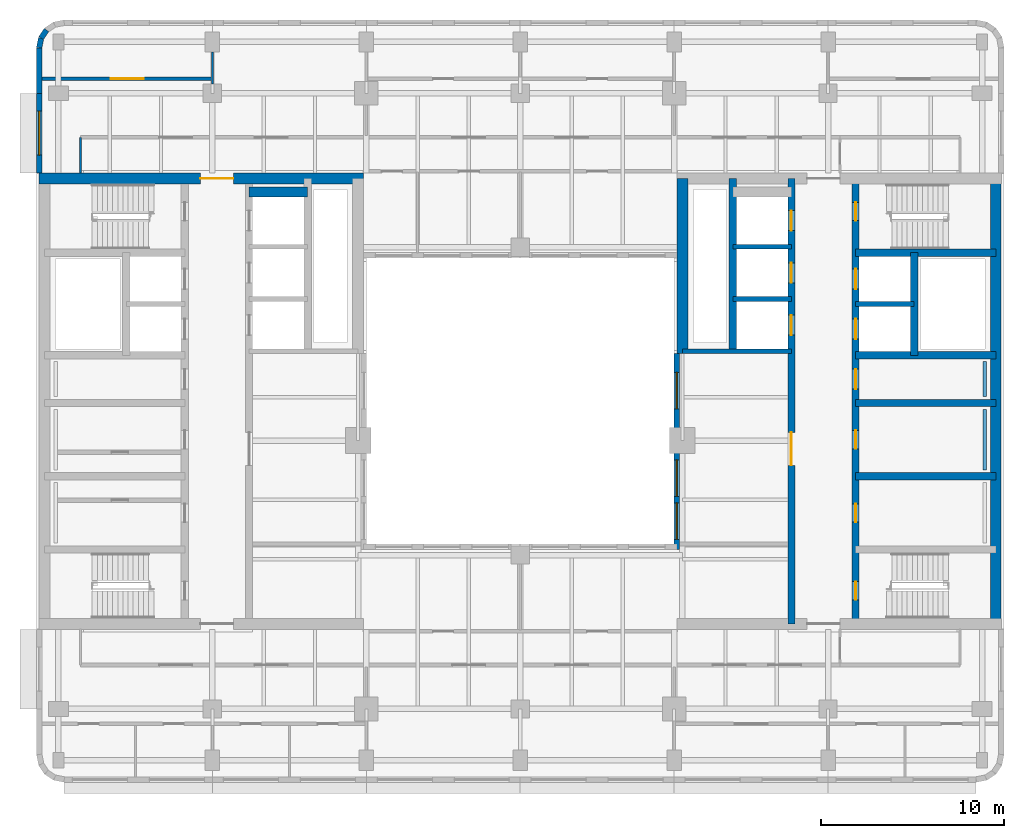
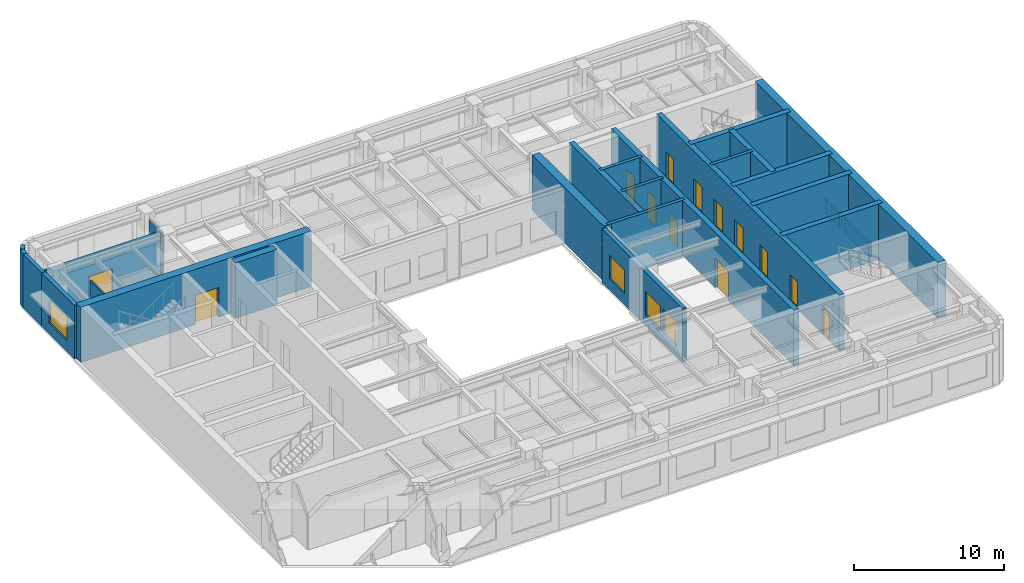
# One storey, part 6 of 11: 26 walls, 13 doors, 4 windows, 17 openings.
"""IFC4 building model written with IfcOpenShell, lengths in metres."""

from ifc_helpers import new_model, si_unit, direction, frame, frame_2d, origin, place, context, subcontext, project, spatial, rectangle, extrude, material, layer, layer_set, type_object, element, fill, save


model = new_model("IFC4")

# Units and contexts
model_context = context("Model", 3, precision=1e-05, world=origin(), true_north=direction((0.0, 1.0)))
body_context = subcontext(model_context, "Body", "Model", "MODEL_VIEW")
ifc_project = project(units=[si_unit("LENGTHUNIT", "METRE"), si_unit("AREAUNIT", "SQUARE_METRE"), si_unit("VOLUMEUNIT", "CUBIC_METRE"), si_unit("PLANEANGLEUNIT", "RADIAN"), si_unit("MASSUNIT", "GRAM", prefix="KILO")], contexts=[model_context])

# Site, building, storey
site_placement = place(None, origin())
site = spatial("IfcSite", under=ifc_project, at=site_placement, CompositionType="ELEMENT")
building_placement = place(site_placement, origin())
building = spatial("IfcBuilding", under=site, at=building_placement, Name="Claustro Exchange Tower", CompositionType="ELEMENT")
storey_placement = place(building_placement, frame((0.0, 0.0, 259.199951171875)))
storey = spatial("IfcBuildingStorey", under=building, at=storey_placement, Name="L59", CompositionType="ELEMENT", Elevation=259.199951171875)

# Walls
ifc_material_1 = material(Name="Laminated glass in aluminium frame", Category="aluminium")
ifc_layer_1 = layer(ifc_material_1, 0.1201171875)
ifc_layer_set_1 = layer_set([ifc_layer_1], Name="Laminated glass in aluminium frame")
wall_type_1 = type_object("IfcWallType", Name="P2 120 glazed partition", PredefinedType="PARTITIONING", material=ifc_layer_set_1)
wall_1_placement = place(storey_placement, frame((8.39990234375, 42.498046875, 0.0), z_axis=(0.0, 0.0, 1.0), x_axis=(0.0, 1.0, 0.0)))
element("IfcWall", 1, at=wall_1_placement, inside=storey, type_object=wall_type_1, Name="Partition P2 L59", PredefinedType="PARTITIONING", context=body_context, shape_type="SweptSolid", body=[
    extrude(rectangle(XDim=1.7529296875, YDim=0.1201171875, at=frame_2d((0.87646484375, 0.0))), origin(), (0.0, 0.0, 1.0), 3.989990234375),
])
wall_2_placement = place(storey_placement, frame((1.199951171875, 37.64794921875, 0.0), z_axis=(0.0, 0.0, 1.0), x_axis=(0.0, 1.0, 0.0)))
element("IfcWall", 2, at=wall_2_placement, inside=storey, type_object=wall_type_1, Name="Partition P2 L59", PredefinedType="PARTITIONING", context=body_context, shape_type="SweptSolid", body=[
    extrude(rectangle(XDim=1.9521484375, YDim=0.1201171875, at=frame_2d((0.97607421875, 0.0))), origin(), (0.0, 0.0, 1.0), 4.35009765625),
])

# Wall, opening, door
ifc_material_2 = material(Name="Twin-skin gypsum board on steel studs, mineral wool", Category="steel")
ifc_layer_2 = layer(ifc_material_2, 0.199951171875)
ifc_layer_set_2 = layer_set([ifc_layer_2], Name="Twin-skin gypsum board on steel studs, mineral wool")
wall_type_2 = type_object("IfcWallType", Name="P3 200 acoustic partition", PredefinedType="PARTITIONING", material=ifc_layer_set_2)
wall_3_placement = place(storey_placement, frame((-0.902099609375, 42.800048828125, 0.0), z_axis=(0.0, 0.0, 1.0), x_axis=(1.0, 0.0, 0.0)))
wall_3 = element("IfcWall", 3, at=wall_3_placement, inside=storey, type_object=wall_type_2, Name="Partition P3 L59", PredefinedType="PARTITIONING", context=body_context, shape_type="SweptSolid", body=[
    extrude(rectangle(XDim=9.302001953125, YDim=0.199951171875, at=frame_2d((4.65087890625, 0.0))), origin(), (0.0, 0.0, 1.0), 3.860107421875),
])
opening_1_placement = place(wall_3_placement, frame((3.751953125, 0.0, 0.0)))
opening_1 = element("IfcOpeningElement", 4, at=opening_1_placement, cuts=wall_3, Name="Opening D2", PredefinedType="OPENING", context=body_context, shape_type="SweptSolid", body=[
    extrude(rectangle(XDim=1.800048828125, YDim=2.199951171875, at=frame_2d((0.89990234375, 1.10009765625))), frame((0.0, 0.10986328125, 0.0), z_axis=(0.0, -1.0, 0.0), x_axis=(1.0, 0.0, 0.0)), (0.0, 0.0, 1.0), 0.219970703125),
])
ifc_material_3 = material(Name="Timber door, oak veneer", Category="wood")
door_type_1 = type_object("IfcDoorType", Name="D2 1800 x 2200 double door", OperationType="DOUBLE_DOOR_SINGLE_SWING", PredefinedType="DOOR", material=ifc_material_3)
door_1_placement = place(opening_1_placement, origin())
door_1 = element("IfcDoor", 5, at=door_1_placement, inside=storey, type_object=door_type_1, Name="Double door D2 L59", OperationType="DOUBLE_DOOR_SINGLE_SWING", OverallHeight=2.199951171875, OverallWidth=1.800048828125, PredefinedType="DOOR", context=body_context, shape_type="SweptSolid", body=[
    extrude(rectangle(XDim=1.800048828125, YDim=2.199951171875, at=frame_2d((0.89990234375, 1.10009765625))), frame((0.0, 0.02490234375, 0.0), z_axis=(0.0, -1.0, 0.0), x_axis=(1.0, 0.0, 0.0)), (0.0, 0.0, 1.0), 0.050048828125),
])
fill(opening_1, door_1)

# Wall, opening, window
ifc_material_4 = material(Name="Concrete HA-40 (C40/50), precast, white cement, acid-etched", Category="concrete")
ifc_layer_3 = layer(ifc_material_4, 0.300048828125)
ifc_layer_set_3 = layer_set([ifc_layer_3], Name="Concrete HA-40 (C40/50), precast, white cement, acid-etched")
wall_type_3 = type_object("IfcWallType", Name="PC1 300 precast concrete pier panel", PredefinedType="SOLIDWALL", material=ifc_layer_set_3)
wall_4_placement = place(storey_placement, frame((-1.050048828125, 37.64990234375, 0.0), z_axis=(0.0, 0.0, 1.0), x_axis=(0.0, 1.0, 0.0)))
wall_4 = element("IfcWall", 6, at=wall_4_placement, inside=storey, type_object=wall_type_3, Name="Precast pier panel PC1 L59", PredefinedType="SOLIDWALL", context=body_context, shape_type="SweptSolid", body=[
    extrude(rectangle(XDim=4.35009765625, YDim=0.300048828125, at=frame_2d((2.175048828125, 0.0))), origin(), (0.0, 0.0, 1.0), 4.35009765625),
])
opening_2_placement = place(wall_4_placement, frame((0.97509765625, 0.0, 0.89990234375)))
opening_2 = element("IfcOpeningElement", 7, at=opening_2_placement, cuts=wall_4, Name="Opening W2", PredefinedType="OPENING", context=body_context, shape_type="SweptSolid", body=[
    extrude(rectangle(XDim=2.39990234375, YDim=1.89990234375, at=frame_2d((1.199951171875, 0.949951171875))), frame((0.0, 0.159912109375, 0.0), z_axis=(0.0, -1.0, 0.0), x_axis=(1.0, 0.0, 0.0)), (0.0, 0.0, 1.0), 0.320068359375),
])
ifc_material_5 = material(Name="Aluminium frame, clear double glazing", Category="aluminium")
window_type_1 = type_object("IfcWindowType", Name="W2 2400 x 1900 window", PartitioningType="SINGLE_PANEL", PredefinedType="WINDOW", material=ifc_material_5)
window_1_placement = place(opening_2_placement, origin())
window_1 = element("IfcWindow", 8, at=window_1_placement, inside=storey, type_object=window_type_1, Name="Window W2 L59", OverallHeight=1.89990234375, OverallWidth=2.39990234375, PartitioningType="SINGLE_PANEL", PredefinedType="WINDOW", context=body_context, shape_type="SweptSolid", body=[
    extrude(rectangle(XDim=2.39990234375, YDim=1.89990234375, at=frame_2d((1.199951171875, 0.949951171875))), frame((0.0, 0.030029296875, 0.0), z_axis=(0.0, -1.0, 0.0), x_axis=(1.0, 0.0, 0.0)), (0.0, 0.0, 1.0), 0.06005859375),
])
fill(opening_2, window_1)

# Walls
wall_5_placement = place(storey_placement, frame((-1.050048828125, 42.0, 0.0), z_axis=(0.0, 0.0, 1.0), x_axis=(0.0, 1.0, 0.0)))
element("IfcWall", 9, at=wall_5_placement, inside=storey, type_object=wall_type_3, Name="Precast pier panel PC1 L59", PredefinedType="SOLIDWALL", context=body_context, shape_type="SweptSolid", body=[
    extrude(rectangle(XDim=2.485107421875, YDim=0.300048828125, at=frame_2d((1.24267578125, 0.0))), origin(), (0.0, 0.0, 1.0), 4.35009765625),
])
wall_6_placement = place(storey_placement, frame((-1.050048828125, 44.485107421875, 0.0), z_axis=(0.0, 0.0, 1.0), x_axis=(0.195073962632, 0.980788534345, 0.0)))
element("IfcWall", 10, at=wall_6_placement, inside=storey, type_object=wall_type_3, Name="Precast pier panel PC1 L59", PredefinedType="SOLIDWALL", context=body_context, shape_type="SweptSolid", body=[
    extrude(rectangle(XDim=0.540771484375, YDim=0.300048828125, at=frame_2d((0.2705078125, 0.0))), origin(), (0.0, 0.0, 1.0), 4.35009765625),
])
wall_7_placement = place(storey_placement, frame((-0.944580078125, 45.015380859375, 0.0), z_axis=(0.0, 0.0, 1.0), x_axis=(0.55534295404, 0.831621430339, 0.0)))
element("IfcWall", 11, at=wall_7_placement, inside=storey, type_object=wall_type_3, Name="Precast pier panel PC1 L59", PredefinedType="SOLIDWALL", context=body_context, shape_type="SweptSolid", body=[
    extrude(rectangle(XDim=0.52587890625, YDim=0.300048828125, at=frame_2d((0.262939453125, 0.0))), origin(), (0.0, 0.0, 1.0), 4.35009765625),
])

# Wall, openings, windows
wall_8_placement = place(storey_placement, frame((33.75, 17.10009765625, 0.0), z_axis=(0.0, 0.0, 1.0), x_axis=(0.0, 1.0, 0.0)))
wall_8 = element("IfcWall", 12, at=wall_8_placement, inside=storey, type_object=wall_type_3, Name="Precast pier panel PC1 L59", PredefinedType="SOLIDWALL", context=body_context, shape_type="SweptSolid", body=[
    extrude(rectangle(XDim=10.699951171875, YDim=0.300048828125, at=frame_2d((5.35009765625, 0.0))), origin(), (0.0, 0.0, 1.0), 4.35009765625),
])
opening_3_placement = place(wall_8_placement, frame((0.550048828125, 0.0, 0.89990234375)))
opening_3 = element("IfcOpeningElement", 13, at=opening_3_placement, cuts=wall_8, Name="Opening W4", PredefinedType="OPENING", context=body_context, shape_type="SweptSolid", body=[
    extrude(rectangle(XDim=2.0, YDim=1.89990234375, at=frame_2d((1.0, 0.949951171875))), frame((0.0, 0.159912109375, 0.0), z_axis=(0.0, -1.0, 0.0), x_axis=(1.0, 0.0, 0.0)), (0.0, 0.0, 1.0), 0.320068359375),
])
opening_4_placement = place(wall_8_placement, frame((2.89990234375, 0.0, 0.89990234375)))
opening_4 = element("IfcOpeningElement", 14, at=opening_4_placement, cuts=wall_8, Name="Opening W4", PredefinedType="OPENING", context=body_context, shape_type="SweptSolid", body=[
    extrude(rectangle(XDim=2.0, YDim=1.89990234375, at=frame_2d((1.0, 0.949951171875))), frame((0.0, 0.159912109375, 0.0), z_axis=(0.0, -1.0, 0.0), x_axis=(1.0, 0.0, 0.0)), (0.0, 0.0, 1.0), 0.320068359375),
])
opening_5_placement = place(wall_8_placement, frame((7.675048828125, 0.0, 0.89990234375)))
opening_5 = element("IfcOpeningElement", 15, at=opening_5_placement, cuts=wall_8, Name="Opening W4", PredefinedType="OPENING", context=body_context, shape_type="SweptSolid", body=[
    extrude(rectangle(XDim=2.0, YDim=1.89990234375, at=frame_2d((1.0, 0.949951171875))), frame((0.0, 0.159912109375, 0.0), z_axis=(0.0, -1.0, 0.0), x_axis=(1.0, 0.0, 0.0)), (0.0, 0.0, 1.0), 0.320068359375),
])
ifc_material_6 = material(Name="Aluminium frame, clear double glazing", Category="aluminium")
window_type_2 = type_object("IfcWindowType", Name="W4 2000 x 1900 light well window", PartitioningType="SINGLE_PANEL", PredefinedType="WINDOW", material=ifc_material_6)
window_2_placement = place(opening_3_placement, origin())
window_2 = element("IfcWindow", 16, at=window_2_placement, inside=storey, type_object=window_type_2, Name="Window W4 L59", OverallHeight=1.89990234375, OverallWidth=2.0, PartitioningType="SINGLE_PANEL", PredefinedType="WINDOW", context=body_context, shape_type="SweptSolid", body=[
    extrude(rectangle(XDim=2.0, YDim=1.89990234375, at=frame_2d((1.0, 0.949951171875))), frame((0.0, 0.030029296875, 0.0), z_axis=(0.0, -1.0, 0.0), x_axis=(1.0, 0.0, 0.0)), (0.0, 0.0, 1.0), 0.06005859375),
])
fill(opening_3, window_2)
window_3_placement = place(opening_4_placement, origin())
window_3 = element("IfcWindow", 17, at=window_3_placement, inside=storey, type_object=window_type_2, Name="Window W4 L59", OverallHeight=1.89990234375, OverallWidth=2.0, PartitioningType="SINGLE_PANEL", PredefinedType="WINDOW", context=body_context, shape_type="SweptSolid", body=[
    extrude(rectangle(XDim=2.0, YDim=1.89990234375, at=frame_2d((1.0, 0.949951171875))), frame((0.0, 0.030029296875, 0.0), z_axis=(0.0, -1.0, 0.0), x_axis=(1.0, 0.0, 0.0)), (0.0, 0.0, 1.0), 0.06005859375),
])
fill(opening_4, window_3)
window_4_placement = place(opening_5_placement, origin())
window_4 = element("IfcWindow", 18, at=window_4_placement, inside=storey, type_object=window_type_2, Name="Window W4 L59", OverallHeight=1.89990234375, OverallWidth=2.0, PartitioningType="SINGLE_PANEL", PredefinedType="WINDOW", context=body_context, shape_type="SweptSolid", body=[
    extrude(rectangle(XDim=2.0, YDim=1.89990234375, at=frame_2d((1.0, 0.949951171875))), frame((0.0, 0.030029296875, 0.0), z_axis=(0.0, -1.0, 0.0), x_axis=(1.0, 0.0, 0.0)), (0.0, 0.0, 1.0), 0.06005859375),
])
fill(opening_5, window_4)

# Walls
ifc_material_7 = material(Name="Gypsum board on steel studs, tiled", Category="steel")
ifc_layer_4 = layer(ifc_material_7, 0.199951171875)
ifc_layer_set_4 = layer_set([ifc_layer_4], Name="Gypsum board on steel studs, tiled")
wall_type_4 = type_object("IfcWallType", Name="PW1 200 WC duct wall", PredefinedType="PLUMBINGWALL", material=ifc_layer_set_4)
wall_9_placement = place(storey_placement, frame((50.550048828125, 21.449951171875, 0.0), z_axis=(0.0, 0.0, 1.0), x_axis=(0.0, 1.0, 0.0)))
element("IfcWall", 19, at=wall_9_placement, inside=storey, type_object=wall_type_4, Name="WC duct wall PW1 L59", PredefinedType="PLUMBINGWALL", context=body_context, shape_type="SweptSolid", body=[
    extrude(rectangle(XDim=3.300048828125, YDim=0.199951171875, at=frame_2d((1.64990234375, 0.0))), origin(), (0.0, 0.0, 1.0), 1.199951171875),
])
wall_10_placement = place(storey_placement, frame((50.550048828125, 25.449951171875, 0.0), z_axis=(0.0, 0.0, 1.0), x_axis=(0.0, 1.0, 0.0)))
element("IfcWall", 20, at=wall_10_placement, inside=storey, type_object=wall_type_4, Name="WC duct wall PW1 L59", PredefinedType="PLUMBINGWALL", context=body_context, shape_type="SweptSolid", body=[
    extrude(rectangle(XDim=1.900146484375, YDim=0.199951171875, at=frame_2d((0.9501953125, 0.0))), origin(), (0.0, 0.0, 1.0), 1.199951171875),
])

# Wall, opening, door
ifc_material_8 = material(Name="Concrete HA-50 (C50/60)", Category="concrete")
ifc_layer_5 = layer(ifc_material_8, 0.60009765625)
ifc_layer_set_5 = layer_set([ifc_layer_5], Name="Concrete HA-50 (C50/60)")
wall_type_5 = type_object("IfcWallType", Name="SW3 600 core shear wall", PredefinedType="SHEAR", material=ifc_layer_set_5)
wall_11_placement = place(storey_placement, frame((-1.050048828125, 37.35009765625, 0.0), z_axis=(0.0, 0.0, 1.0), x_axis=(1.0, 0.0, 0.0)))
wall_11 = element("IfcWall", 21, at=wall_11_placement, inside=storey, type_object=wall_type_5, Name="Core wall SW3 W core N face L59", PredefinedType="SHEAR", context=body_context, shape_type="SweptSolid", body=[
    extrude(rectangle(XDim=17.699951171875, YDim=0.60009765625, at=frame_2d((8.85009765625, 0.0))), origin(), (0.0, 0.0, 1.0), 4.5),
])
opening_6_placement = place(wall_11_placement, frame((8.800048828125, 0.0, 0.0)))
opening_6 = element("IfcOpeningElement", 22, at=opening_6_placement, cuts=wall_11, Name="Opening D3", PredefinedType="OPENING", context=body_context, shape_type="SweptSolid", body=[
    extrude(rectangle(XDim=1.800048828125, YDim=2.39990234375, at=frame_2d((0.89990234375, 1.199951171875))), frame((0.0, 0.31005859375, 0.0), z_axis=(0.0, -1.0, 0.0), x_axis=(1.0, 0.0, 0.0)), (0.0, 0.0, 1.0), 0.6201171875),
])
ifc_material_9 = material(Name="Steel fire door, painted", Category="steel")
door_type_2 = type_object("IfcDoorType", Name="D3 1800 x 2400 fire-rated lobby double door", OperationType="DOUBLE_DOOR_SINGLE_SWING", PredefinedType="DOOR", material=ifc_material_9)
door_2_placement = place(opening_6_placement, origin())
door_2 = element("IfcDoor", 23, at=door_2_placement, inside=storey, type_object=door_type_2, Name="Lift lobby door D3 L59", OperationType="DOUBLE_DOOR_SINGLE_SWING", OverallHeight=2.39990234375, OverallWidth=1.800048828125, PredefinedType="DOOR", context=body_context, shape_type="SweptSolid", body=[
    extrude(rectangle(XDim=1.800048828125, YDim=2.39990234375, at=frame_2d((0.89990234375, 1.199951171875))), frame((0.0, 0.02490234375, 0.0), z_axis=(0.0, -1.0, 0.0), x_axis=(1.0, 0.0, 0.0)), (0.0, 0.0, 1.0), 0.050048828125),
])
fill(opening_6, door_2)

# Walls
ifc_material_10 = material(Name="Concrete HA-50 (C50/60)", Category="concrete")
ifc_layer_6 = layer(ifc_material_10, 0.60009765625)
ifc_layer_set_6 = layer_set([ifc_layer_6], Name="Concrete HA-50 (C50/60)")
wall_type_6 = type_object("IfcWallType", Name="SW3X 600 exposed core shear wall, board-marked face", PredefinedType="SHEAR", material=ifc_layer_set_6)
wall_12_placement = place(storey_placement, frame((34.050048828125, 27.800048828125, 0.0), z_axis=(0.0, 0.0, 1.0), x_axis=(0.0, 1.0, 0.0)))
element("IfcWall", 24, at=wall_12_placement, inside=storey, type_object=wall_type_6, Name="Core wall SW3X E core W face L59", PredefinedType="SHEAR", context=body_context, shape_type="SweptSolid", body=[
    extrude(rectangle(XDim=9.550048828125, YDim=0.60009765625, at=frame_2d((4.77490234375, 0.0))), origin(), (0.0, 0.0, 1.0), 4.5),
])
wall_13_placement = place(storey_placement, frame((51.14990234375, 13.050048828125, 0.0), z_axis=(0.0, 0.0, 1.0), x_axis=(0.0, 1.0, 0.0)))
element("IfcWall", 25, at=wall_13_placement, inside=storey, type_object=wall_type_6, Name="Core wall SW3X E core E face L59", PredefinedType="SHEAR", context=body_context, shape_type="SweptSolid", body=[
    extrude(rectangle(XDim=24.300048828125, YDim=0.60009765625, at=frame_2d((12.14990234375, 0.0))), origin(), (0.0, 0.0, 1.0), 4.5),
])

# Wall, openings, doors
ifc_material_11 = material(Name="Concrete HA-50 (C50/60)", Category="concrete")
ifc_layer_7 = layer(ifc_material_11, 0.39990234375)
ifc_layer_set_7 = layer_set([ifc_layer_7], Name="Concrete HA-50 (C50/60)")
wall_type_7 = type_object("IfcWallType", Name="SW4 400 internal core wall", PredefinedType="SHEAR", material=ifc_layer_set_7)
wall_14_placement = place(storey_placement, frame((43.5, 13.050048828125, 0.0), z_axis=(0.0, 0.0, 1.0), x_axis=(0.0, 1.0, 0.0)))
wall_14 = element("IfcWall", 26, at=wall_14_placement, inside=storey, type_object=wall_type_7, Name="Internal core wall SW4 E core L59", PredefinedType="SHEAR", context=body_context, shape_type="SweptSolid", body=[
    extrude(rectangle(XDim=24.300048828125, YDim=0.39990234375, at=frame_2d((12.14990234375, 0.0))), origin(), (0.0, 0.0, 1.0), 4.5),
])
opening_7_placement = place(wall_14_placement, frame((1.300048828125, 0.0, 0.0)))
opening_7 = element("IfcOpeningElement", 27, at=opening_7_placement, cuts=wall_14, Name="Opening D4", PredefinedType="OPENING", context=body_context, shape_type="SweptSolid", body=[
    extrude(rectangle(XDim=1.0, YDim=2.199951171875, at=frame_2d((0.5, 1.10009765625))), frame((0.0, 0.2099609375, 0.0), z_axis=(0.0, -1.0, 0.0), x_axis=(1.0, 0.0, 0.0)), (0.0, 0.0, 1.0), 0.419921875),
])
opening_8_placement = place(wall_14_placement, frame((22.0, 0.0, 0.0)))
opening_8 = element("IfcOpeningElement", 28, at=opening_8_placement, cuts=wall_14, Name="Opening D4", PredefinedType="OPENING", context=body_context, shape_type="SweptSolid", body=[
    extrude(rectangle(XDim=1.0, YDim=2.199951171875, at=frame_2d((0.5, 1.10009765625))), frame((0.0, 0.2099609375, 0.0), z_axis=(0.0, -1.0, 0.0), x_axis=(1.0, 0.0, 0.0)), (0.0, 0.0, 1.0), 0.419921875),
])
opening_9_placement = place(wall_14_placement, frame((5.550048828125, 0.0, 0.0)))
opening_9 = element("IfcOpeningElement", 29, at=opening_9_placement, cuts=wall_14, Name="Opening D1", PredefinedType="OPENING", context=body_context, shape_type="SweptSolid", body=[
    extrude(rectangle(XDim=1.0, YDim=2.199951171875, at=frame_2d((0.5, 1.10009765625))), frame((0.0, 0.2099609375, 0.0), z_axis=(0.0, -1.0, 0.0), x_axis=(1.0, 0.0, 0.0)), (0.0, 0.0, 1.0), 0.419921875),
])
opening_10_placement = place(wall_14_placement, frame((9.550048828125, 0.0, 0.0)))
opening_10 = element("IfcOpeningElement", 30, at=opening_10_placement, cuts=wall_14, Name="Opening D1", PredefinedType="OPENING", context=body_context, shape_type="SweptSolid", body=[
    extrude(rectangle(XDim=1.0, YDim=2.199951171875, at=frame_2d((0.5, 1.10009765625))), frame((0.0, 0.2099609375, 0.0), z_axis=(0.0, -1.0, 0.0), x_axis=(1.0, 0.0, 0.0)), (0.0, 0.0, 1.0), 0.419921875),
])
opening_11_placement = place(wall_14_placement, frame((12.800048828125, 0.0, 0.0)))
opening_11 = element("IfcOpeningElement", 31, at=opening_11_placement, cuts=wall_14, Name="Opening D10", PredefinedType="OPENING", context=body_context, shape_type="SweptSolid", body=[
    extrude(rectangle(XDim=1.10009765625, YDim=2.199951171875, at=frame_2d((0.550048828125, 1.10009765625))), frame((0.0, 0.2099609375, 0.0), z_axis=(0.0, -1.0, 0.0), x_axis=(1.0, 0.0, 0.0)), (0.0, 0.0, 1.0), 0.419921875),
])
opening_12_placement = place(wall_14_placement, frame((15.53759765625, 0.0, 0.0)))
opening_12 = element("IfcOpeningElement", 32, at=opening_12_placement, cuts=wall_14, Name="Opening LD", PredefinedType="OPENING", context=body_context, shape_type="SweptSolid", body=[
    extrude(rectangle(XDim=1.10009765625, YDim=2.199951171875, at=frame_2d((0.550048828125, 1.10009765625))), frame((0.0, 0.2099609375, 0.0), z_axis=(0.0, -1.0, 0.0), x_axis=(1.0, 0.0, 0.0)), (0.0, 0.0, 1.0), 0.419921875),
])
opening_13_placement = place(wall_14_placement, frame((18.262451171875, 0.0, 0.0)))
opening_13 = element("IfcOpeningElement", 33, at=opening_13_placement, cuts=wall_14, Name="Opening LD", PredefinedType="OPENING", context=body_context, shape_type="SweptSolid", body=[
    extrude(rectangle(XDim=1.10009765625, YDim=2.199951171875, at=frame_2d((0.550048828125, 1.10009765625))), frame((0.0, 0.2099609375, 0.0), z_axis=(0.0, -1.0, 0.0), x_axis=(1.0, 0.0, 0.0)), (0.0, 0.0, 1.0), 0.419921875),
])
ifc_material_12 = material(Name="Timber door, oak veneer", Category="wood")
door_type_3 = type_object("IfcDoorType", Name="D1 1000 x 2200 single door", OperationType="SINGLE_SWING_LEFT", PredefinedType="DOOR", material=ifc_material_12)
door_3_placement = place(opening_9_placement, frame((1.0, 0.0, 0.0), z_axis=(0.0, 0.0, 1.0), x_axis=(-1.0, 0.0, 0.0)))
door_3 = element("IfcDoor", 34, at=door_3_placement, inside=storey, type_object=door_type_3, Name="Door D1 L59", OperationType="SINGLE_SWING_LEFT", OverallHeight=2.199951171875, OverallWidth=1.0, PredefinedType="DOOR", context=body_context, shape_type="SweptSolid", body=[
    extrude(rectangle(XDim=1.0, YDim=2.199951171875, at=frame_2d((0.5, 1.10009765625))), frame((0.0, 0.02490234375, 0.0), z_axis=(0.0, -1.0, 0.0), x_axis=(1.0, 0.0, 0.0)), (0.0, 0.0, 1.0), 0.050048828125),
])
fill(opening_9, door_3)
door_4_placement = place(opening_10_placement, frame((1.0, 0.0, 0.0), z_axis=(0.0, 0.0, 1.0), x_axis=(-1.0, 0.0, 0.0)))
door_4 = element("IfcDoor", 35, at=door_4_placement, inside=storey, type_object=door_type_3, Name="Door D1 L59", OperationType="SINGLE_SWING_LEFT", OverallHeight=2.199951171875, OverallWidth=1.0, PredefinedType="DOOR", context=body_context, shape_type="SweptSolid", body=[
    extrude(rectangle(XDim=1.0, YDim=2.199951171875, at=frame_2d((0.5, 1.10009765625))), frame((0.0, 0.02490234375, 0.0), z_axis=(0.0, -1.0, 0.0), x_axis=(1.0, 0.0, 0.0)), (0.0, 0.0, 1.0), 0.050048828125),
])
fill(opening_10, door_4)
ifc_material_13 = material(Name="Timber door, oak veneer", Category="wood")
door_type_4 = type_object("IfcDoorType", Name="D10 1100 x 2200 accessible WC door", OperationType="SINGLE_SWING_LEFT", PredefinedType="DOOR", material=ifc_material_13)
door_5_placement = place(opening_11_placement, origin())
door_5 = element("IfcDoor", 36, at=door_5_placement, inside=storey, type_object=door_type_4, Name="Accessible WC door D10 L59", OperationType="SINGLE_SWING_RIGHT", OverallHeight=2.199951171875, OverallWidth=1.10009765625, PredefinedType="DOOR", context=body_context, shape_type="SweptSolid", body=[
    extrude(rectangle(XDim=1.10009765625, YDim=2.199951171875, at=frame_2d((0.550048828125, 1.10009765625))), frame((0.0, 0.02490234375, 0.0), z_axis=(0.0, -1.0, 0.0), x_axis=(1.0, 0.0, 0.0)), (0.0, 0.0, 1.0), 0.050048828125),
])
fill(opening_11, door_5)
ifc_material_14 = material(Name="Steel fire door, painted", Category="steel")
door_type_5 = type_object("IfcDoorType", Name="D4 1000 x 2200 fire-rated stair door", OperationType="SINGLE_SWING_LEFT", PredefinedType="DOOR", material=ifc_material_14)
door_6_placement = place(opening_7_placement, frame((1.0, 0.0, 0.0), z_axis=(0.0, 0.0, 1.0), x_axis=(-1.0, 0.0, 0.0)))
door_6 = element("IfcDoor", 37, at=door_6_placement, inside=storey, type_object=door_type_5, Name="Stair door D4 L59", OperationType="SINGLE_SWING_RIGHT", OverallHeight=2.199951171875, OverallWidth=1.0, PredefinedType="DOOR", context=body_context, shape_type="SweptSolid", body=[
    extrude(rectangle(XDim=1.0, YDim=2.199951171875, at=frame_2d((0.5, 1.10009765625))), frame((0.0, 0.02490234375, 0.0), z_axis=(0.0, -1.0, 0.0), x_axis=(1.0, 0.0, 0.0)), (0.0, 0.0, 1.0), 0.050048828125),
])
fill(opening_7, door_6)
door_7_placement = place(opening_8_placement, frame((1.0, 0.0, 0.0), z_axis=(0.0, 0.0, 1.0), x_axis=(-1.0, 0.0, 0.0)))
door_7 = element("IfcDoor", 38, at=door_7_placement, inside=storey, type_object=door_type_5, Name="Stair door D4 L59", OperationType="SINGLE_SWING_LEFT", OverallHeight=2.199951171875, OverallWidth=1.0, PredefinedType="DOOR", context=body_context, shape_type="SweptSolid", body=[
    extrude(rectangle(XDim=1.0, YDim=2.199951171875, at=frame_2d((0.5, 1.10009765625))), frame((0.0, 0.02490234375, 0.0), z_axis=(0.0, -1.0, 0.0), x_axis=(1.0, 0.0, 0.0)), (0.0, 0.0, 1.0), 0.050048828125),
])
fill(opening_8, door_7)
ifc_material_15 = material(Name="Stainless steel sliding door", Category="steel")
door_type_6 = type_object("IfcDoorType", Name="LD 1100 x 2200 lift landing door", OperationType="DOUBLE_DOOR_SLIDING", PredefinedType="DOOR", material=ifc_material_15)
door_8_placement = place(opening_12_placement, origin())
door_8 = element("IfcDoor", 39, at=door_8_placement, inside=storey, type_object=door_type_6, Name="Lift landing door LEE1 LD L59", OperationType="DOUBLE_DOOR_SLIDING", OverallHeight=2.199951171875, OverallWidth=1.10009765625, PredefinedType="DOOR", context=body_context, shape_type="SweptSolid", body=[
    extrude(rectangle(XDim=1.10009765625, YDim=2.199951171875, at=frame_2d((0.550048828125, 1.10009765625))), frame((0.0, 0.02490234375, 0.0), z_axis=(0.0, -1.0, 0.0), x_axis=(1.0, 0.0, 0.0)), (0.0, 0.0, 1.0), 0.050048828125),
])
fill(opening_12, door_8)
door_9_placement = place(opening_13_placement, origin())
door_9 = element("IfcDoor", 40, at=door_9_placement, inside=storey, type_object=door_type_6, Name="Lift landing door LEE2 LD L59", OperationType="DOUBLE_DOOR_SLIDING", OverallHeight=2.199951171875, OverallWidth=1.10009765625, PredefinedType="DOOR", context=body_context, shape_type="SweptSolid", body=[
    extrude(rectangle(XDim=1.10009765625, YDim=2.199951171875, at=frame_2d((0.550048828125, 1.10009765625))), frame((0.0, 0.02490234375, 0.0), z_axis=(0.0, -1.0, 0.0), x_axis=(1.0, 0.0, 0.0)), (0.0, 0.0, 1.0), 0.050048828125),
])
fill(opening_13, door_9)

wall_15_placement = place(storey_placement, frame((40.0, 13.050048828125, 0.0), z_axis=(0.0, 0.0, 1.0), x_axis=(0.0, 1.0, 0.0)))
wall_15 = element("IfcWall", 41, at=wall_15_placement, inside=storey, type_object=wall_type_7, Name="Internal core wall SW4 E core L59", PredefinedType="SHEAR", context=body_context, shape_type="SweptSolid", body=[
    extrude(rectangle(XDim=24.300048828125, YDim=0.39990234375, at=frame_2d((12.14990234375, 0.0))), origin(), (0.0, 0.0, 1.0), 4.5),
])
opening_14_placement = place(wall_15_placement, frame((15.75, 0.0, 0.0)))
opening_14 = element("IfcOpeningElement", 42, at=opening_14_placement, cuts=wall_15, Name="Opening LD", PredefinedType="OPENING", context=body_context, shape_type="SweptSolid", body=[
    extrude(rectangle(XDim=1.10009765625, YDim=2.199951171875, at=frame_2d((0.550048828125, 1.10009765625))), frame((0.0, 0.2099609375, 0.0), z_axis=(0.0, -1.0, 0.0), x_axis=(1.0, 0.0, 0.0)), (0.0, 0.0, 1.0), 0.419921875),
])
opening_15_placement = place(wall_15_placement, frame((18.60009765625, 0.0, 0.0)))
opening_15 = element("IfcOpeningElement", 43, at=opening_15_placement, cuts=wall_15, Name="Opening LD", PredefinedType="OPENING", context=body_context, shape_type="SweptSolid", body=[
    extrude(rectangle(XDim=1.10009765625, YDim=2.199951171875, at=frame_2d((0.550048828125, 1.10009765625))), frame((0.0, 0.2099609375, 0.0), z_axis=(0.0, -1.0, 0.0), x_axis=(1.0, 0.0, 0.0)), (0.0, 0.0, 1.0), 0.419921875),
])
opening_16_placement = place(wall_15_placement, frame((21.449951171875, 0.0, 0.0)))
opening_16 = element("IfcOpeningElement", 44, at=opening_16_placement, cuts=wall_15, Name="Opening LD", PredefinedType="OPENING", context=body_context, shape_type="SweptSolid", body=[
    extrude(rectangle(XDim=1.10009765625, YDim=2.199951171875, at=frame_2d((0.550048828125, 1.10009765625))), frame((0.0, 0.2099609375, 0.0), z_axis=(0.0, -1.0, 0.0), x_axis=(1.0, 0.0, 0.0)), (0.0, 0.0, 1.0), 0.419921875),
])
opening_17_placement = place(wall_15_placement, frame((8.64990234375, 0.0, 0.0)))
opening_17 = element("IfcOpeningElement", 45, at=opening_17_placement, cuts=wall_15, Name="Opening D3", PredefinedType="OPENING", context=body_context, shape_type="SweptSolid", body=[
    extrude(rectangle(XDim=1.800048828125, YDim=2.39990234375, at=frame_2d((0.89990234375, 1.199951171875))), frame((0.0, 0.2099609375, 0.0), z_axis=(0.0, -1.0, 0.0), x_axis=(1.0, 0.0, 0.0)), (0.0, 0.0, 1.0), 0.419921875),
])
door_10_placement = place(opening_17_placement, origin())
door_10 = element("IfcDoor", 46, at=door_10_placement, inside=storey, type_object=door_type_2, Name="Core zone door D3 L59", OperationType="DOUBLE_DOOR_SINGLE_SWING", OverallHeight=2.39990234375, OverallWidth=1.800048828125, PredefinedType="DOOR", context=body_context, shape_type="SweptSolid", body=[
    extrude(rectangle(XDim=1.800048828125, YDim=2.39990234375, at=frame_2d((0.89990234375, 1.199951171875))), frame((0.0, 0.02490234375, 0.0), z_axis=(0.0, -1.0, 0.0), x_axis=(1.0, 0.0, 0.0)), (0.0, 0.0, 1.0), 0.050048828125),
])
fill(opening_17, door_10)
door_11_placement = place(opening_14_placement, origin())
door_11 = element("IfcDoor", 47, at=door_11_placement, inside=storey, type_object=door_type_6, Name="Lift landing door LHE1 LD L59", OperationType="DOUBLE_DOOR_SLIDING", OverallHeight=2.199951171875, OverallWidth=1.10009765625, PredefinedType="DOOR", context=body_context, shape_type="SweptSolid", body=[
    extrude(rectangle(XDim=1.10009765625, YDim=2.199951171875, at=frame_2d((0.550048828125, 1.10009765625))), frame((0.0, 0.02490234375, 0.0), z_axis=(0.0, -1.0, 0.0), x_axis=(1.0, 0.0, 0.0)), (0.0, 0.0, 1.0), 0.050048828125),
])
fill(opening_14, door_11)
door_12_placement = place(opening_15_placement, origin())
door_12 = element("IfcDoor", 48, at=door_12_placement, inside=storey, type_object=door_type_6, Name="Lift landing door LHE2 LD L59", OperationType="DOUBLE_DOOR_SLIDING", OverallHeight=2.199951171875, OverallWidth=1.10009765625, PredefinedType="DOOR", context=body_context, shape_type="SweptSolid", body=[
    extrude(rectangle(XDim=1.10009765625, YDim=2.199951171875, at=frame_2d((0.550048828125, 1.10009765625))), frame((0.0, 0.02490234375, 0.0), z_axis=(0.0, -1.0, 0.0), x_axis=(1.0, 0.0, 0.0)), (0.0, 0.0, 1.0), 0.050048828125),
])
fill(opening_15, door_12)
door_13_placement = place(opening_16_placement, origin())
door_13 = element("IfcDoor", 49, at=door_13_placement, inside=storey, type_object=door_type_6, Name="Lift landing door LSE1 LD L59", OperationType="DOUBLE_DOOR_SLIDING", OverallHeight=2.199951171875, OverallWidth=1.10009765625, PredefinedType="DOOR", context=body_context, shape_type="SweptSolid", body=[
    extrude(rectangle(XDim=1.10009765625, YDim=2.199951171875, at=frame_2d((0.550048828125, 1.10009765625))), frame((0.0, 0.02490234375, 0.0), z_axis=(0.0, -1.0, 0.0), x_axis=(1.0, 0.0, 0.0)), (0.0, 0.0, 1.0), 0.050048828125),
])
fill(opening_16, door_13)

# Walls
wall_16_placement = place(storey_placement, frame((36.800048828125, 27.925048828125, 0.0), z_axis=(0.0, 0.0, 1.0), x_axis=(0.0, 1.0, 0.0)))
element("IfcWall", 50, at=wall_16_placement, inside=storey, type_object=wall_type_7, Name="Internal core wall SW4 E core L59", PredefinedType="SHEAR", context=body_context, shape_type="SweptSolid", body=[
    extrude(rectangle(XDim=9.425048828125, YDim=0.39990234375, at=frame_2d((4.71240234375, 0.0))), origin(), (0.0, 0.0, 1.0), 4.5),
])
for number, where, z_axis, x_axis, name in (
    (51, (51.14990234375, 21.10009765625, 0.0), (0.0, 0.0, 1.0), (-1.0, 0.0, 0.0), "Internal core wall SW4 E core L59"),
    (52, (51.14990234375, 25.10009765625, 0.0), (0.0, 0.0, 1.0), (-1.0, 0.0, 0.0), "Internal core wall SW4 E core L59"),
    (53, (51.14990234375, 27.699951171875, 0.0), (0.0, 0.0, 1.0), (-1.0, 0.0, 0.0), "Internal core wall SW4 E core L59"),
    (54, (51.14990234375, 33.300048828125, 0.0), (0.0, 0.0, 1.0), (-1.0, 0.0, 0.0), "Internal core wall SW4 E core L59"),
):
    element("IfcWall", number, at=place(storey_placement, frame(where, z_axis=z_axis, x_axis=x_axis)), inside=storey, type_object=wall_type_7, Name=name, PredefinedType="SHEAR", context=body_context, shape_type="SweptSolid", body=[
        extrude(rectangle(XDim=7.64990234375, YDim=0.39990234375, at=frame_2d((3.824951171875, 0.0))), origin(), (0.0, 0.0, 1.0), 4.5),
    ])
wall_17_placement = place(storey_placement, frame((46.699951171875, 27.699951171875, 0.0), z_axis=(0.0, 0.0, 1.0), x_axis=(0.0, 1.0, 0.0)))
element("IfcWall", 55, at=wall_17_placement, inside=storey, type_object=wall_type_7, Name="Internal core wall SW4 E core L59", PredefinedType="SHEAR", context=body_context, shape_type="SweptSolid", body=[
    extrude(rectangle(XDim=5.60009765625, YDim=0.39990234375, at=frame_2d((2.800048828125, 0.0))), origin(), (0.0, 0.0, 1.0), 4.5),
])
ifc_material_16 = material(Name="Concrete HA-50 (C50/60)", Category="concrete")
ifc_layer_8 = layer(ifc_material_16, 0.25)
ifc_layer_set_8 = layer_set([ifc_layer_8], Name="Concrete HA-50 (C50/60)")
wall_type_8 = type_object("IfcWallType", Name="SW5 250 lift shaft divider wall", PredefinedType="SHEAR", material=ifc_layer_set_8)
wall_18_placement = place(storey_placement, frame((46.699951171875, 30.5, 0.0), z_axis=(0.0, 0.0, 1.0), x_axis=(-1.0, 0.0, 0.0)))
element("IfcWall", 56, at=wall_18_placement, inside=storey, type_object=wall_type_8, Name="Lift shaft wall E core L59", PredefinedType="SHEAR", context=body_context, shape_type="SweptSolid", body=[
    extrude(rectangle(XDim=3.199951171875, YDim=0.25, at=frame_2d((1.60009765625, 0.0))), origin(), (0.0, 0.0, 1.0), 4.5),
])
wall_19_placement = place(storey_placement, frame((40.0, 27.925048828125, 0.0), z_axis=(0.0, 0.0, 1.0), x_axis=(-1.0, 0.0, 0.0)))
element("IfcWall", 57, at=wall_19_placement, inside=storey, type_object=wall_type_8, Name="Core step wall E core L59", PredefinedType="SHEAR", context=body_context, shape_type="SweptSolid", body=[
    extrude(rectangle(XDim=5.949951171875, YDim=0.25, at=frame_2d((2.97509765625, 0.0))), origin(), (0.0, 0.0, 1.0), 4.5),
])
for number, where, z_axis, x_axis, name in (
    (58, (40.0, 30.77490234375, 0.0), (0.0, 0.0, 1.0), (-1.0, 0.0, 0.0), "Lift shaft wall E core L59"),
    (59, (40.0, 33.625, 0.0), (0.0, 0.0, 1.0), (-1.0, 0.0, 0.0), "Lift shaft wall E core L59"),
):
    element("IfcWall", number, at=place(storey_placement, frame(where, z_axis=z_axis, x_axis=x_axis)), inside=storey, type_object=wall_type_8, Name=name, PredefinedType="SHEAR", context=body_context, shape_type="SweptSolid", body=[
        extrude(rectangle(XDim=3.199951171875, YDim=0.25, at=frame_2d((1.60009765625, 0.0))), origin(), (0.0, 0.0, 1.0), 4.5),
    ])
ifc_material_17 = material(Name="Concrete HA-50 (C50/60)", Category="concrete")
ifc_layer_9 = layer(ifc_material_17, 0.550048828125)
ifc_layer_set_9 = layer_set([ifc_layer_9], Name="Concrete HA-50 (C50/60)")
wall_type_9 = type_object("IfcWallType", Name="SW6 550 lift shaft end wall", PredefinedType="SHEAR", material=ifc_layer_set_9)
wall_20_placement = place(storey_placement, frame((10.39990234375, 36.625, 0.0), z_axis=(0.0, 0.0, 1.0), x_axis=(1.0, 0.0, 0.0)))
element("IfcWall", 60, at=wall_20_placement, inside=storey, type_object=wall_type_9, Name="Lift shaft wall W core L59", PredefinedType="SHEAR", context=body_context, shape_type="SweptSolid", body=[
    extrude(rectangle(XDim=3.2001953125, YDim=0.550048828125, at=frame_2d((1.60009765625, 0.0))), origin(), (0.0, 0.0, 1.0), 4.5),
])

save(model, "model.ifc")
